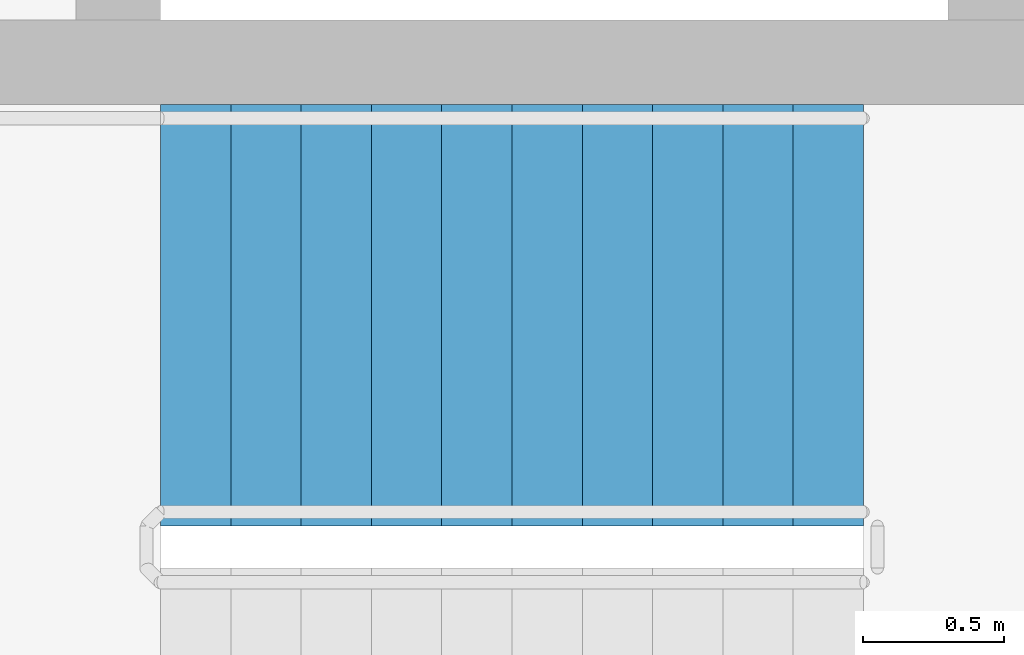
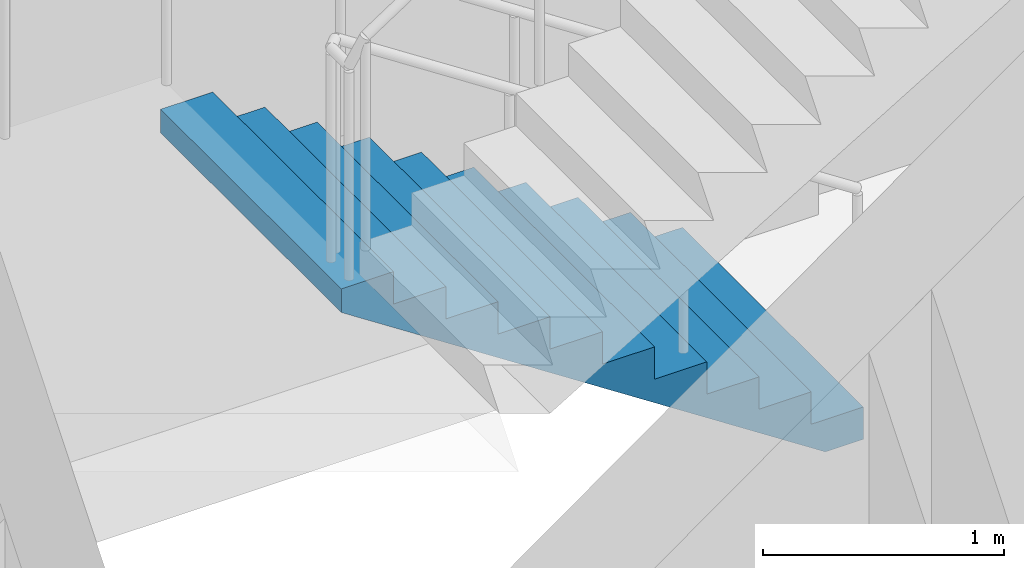
# One storey, part 11 of 12: 1 stair flight, 1 element without a shape of its own.
"""IFC4 building model written with IfcOpenShell, lengths in metres."""

from ifc_helpers import new_model, si_unit, direction, frame, origin, place, context, subcontext, project, spatial, polyline, outline, extrude, material, type_object, element, aggregate, save


model = new_model("IFC4")

# Units and contexts
model_context = context("Model", 3, precision=1e-05, world=origin(), true_north=direction((0.0, 1.0)))
body_context = subcontext(model_context, "Body", "Model", "MODEL_VIEW")
ifc_project = project(units=[si_unit("LENGTHUNIT", "METRE"), si_unit("AREAUNIT", "SQUARE_METRE"), si_unit("VOLUMEUNIT", "CUBIC_METRE"), si_unit("PLANEANGLEUNIT", "RADIAN"), si_unit("MASSUNIT", "GRAM", prefix="KILO")], contexts=[model_context])

# Site, building, storey
site_placement = place(None, origin())
site = spatial("IfcSite", under=ifc_project, at=site_placement, CompositionType="ELEMENT")
building_placement = place(site_placement, origin())
building = spatial("IfcBuilding", under=site, at=building_placement, Name="Tracery Tower", CompositionType="ELEMENT")
storey_placement = place(building_placement, frame((0.0, 0.0, 71.39990234375)))
storey = spatial("IfcBuildingStorey", under=building, at=storey_placement, Name="L17", CompositionType="ELEMENT", Elevation=71.39990234375)

# Stair, stair flight
ifc_material_1 = material(Name="Concrete C32/40", Category="concrete")
stair_type = type_object("IfcStairType", Name="Core stair 22 risers", PredefinedType="HALF_TURN_STAIR", material=ifc_material_1)
stair_placement = place(storey_placement, origin())
stair = element("IfcStair", 1, at=stair_placement, inside=storey, type_object=stair_type, Name="L17 stair ST3", PredefinedType="HALF_TURN_STAIR")
ifc_material_2 = material(Name="Concrete C32/40", Category="concrete")
stair_flight_type = type_object("IfcStairFlightType", Name="Core stair flight 11 risers", PredefinedType="STRAIGHT", material=ifc_material_2)
stair_flight_placement = place(storey_placement, frame((-4.800048828125, 5.64990234375, 0.0), z_axis=(0.0, 0.0, 1.0), x_axis=(-1.0, 0.0, 0.0)))
stair_flight = element("IfcStairFlight", 2, at=stair_flight_placement, type_object=stair_flight_type, Name="ST3 flight 1", NumberOfRisers=11, NumberOfTreads=10, PredefinedType="STRAIGHT", RiserHeight=0.163636364, TreadLength=0.25, context=body_context, shape_type="SweptSolid", body=[
    extrude(outline(polyline([(0.0, 0.0), (0.0, 0.002685546875), (0.0, 0.00537109375), (0.0, 0.008056640625), (0.0, 0.0107421875), (0.0, 0.013427734375), (0.0, 0.01611328125), (0.0, 0.018798828125), (0.0, 0.021484375), (0.0, 0.024169921875), (0.0, 0.02685546875), (0.0, 0.029541015625), (0.0, 0.0322265625), (0.0, 0.034912109375), (0.0, 0.03759765625), (0.0, 0.040283203125), (0.0, 0.04296875), (0.0, 0.045654296875), (0.0, 0.04833984375), (0.0, 0.051025390625), (0.0, 0.0537109375), (0.0, 0.056396484375), (0.0, 0.05908203125), (0.0, 0.061767578125), (0.0, 0.064453125), (0.0, 0.067138671875), (0.0, 0.06982421875), (0.0, 0.072509765625), (0.0, 0.0751953125), (0.0, 0.077880859375), (0.0, 0.08056640625), (0.0, 0.083251953125), (0.0, 0.0859375), (0.0, 0.088623046875), (0.0, 0.09130859375), (0.0, 0.093994140625), (0.0, 0.0966796875), (0.0, 0.099365234375), (0.0, 0.10205078125), (0.0, 0.104736328125), (0.0, 0.107421875), (0.0, 0.10986328125), (0.0, 0.112548828125), (0.0, 0.115234375), (0.0, 0.117919921875), (0.0, 0.12060546875), (0.0, 0.123291015625), (0.0, 0.1259765625), (0.0, 0.128662109375), (0.0, 0.13134765625), (0.0, 0.134033203125), (0.0, 0.13671875), (0.0, 0.139404296875), (0.0, 0.14208984375), (0.0, 0.144775390625), (0.0, 0.1474609375), (0.0, 0.150146484375), (0.0, 0.15283203125), (0.0, 0.155517578125), (0.0, 0.158203125), (0.0, 0.160888671875), (0.0, 0.16357421875), (0.25, 0.16357421875), (0.25, 0.327392578125), (0.5, 0.327392578125), (0.5, 0.490966796875), (0.75, 0.490966796875), (0.75, 0.654541015625), (1.0, 0.654541015625), (1.0, 0.818115234375), (1.25, 0.818115234375), (1.25, 0.98193359375), (1.5, 0.98193359375), (1.5, 1.1455078125), (1.75, 1.1455078125), (1.75, 1.30908203125), (2.0, 1.30908203125), (2.0, 1.47265625), (2.25, 1.47265625), (2.25, 1.636474609375), (2.5, 1.636474609375), (2.5, 1.634521484375), (2.5, 1.63232421875), (2.5, 1.63037109375), (2.5, 1.62841796875), (2.5, 1.62646484375), (2.5, 1.62451171875), (2.5, 1.62255859375), (2.5, 1.62060546875), (2.5, 1.61865234375), (2.5, 1.61669921875), (2.5, 1.61474609375), (2.5, 1.61279296875), (2.5, 1.61083984375), (2.5, 1.60888671875), (2.5, 1.60693359375), (2.5, 1.60498046875), (2.5, 1.60302734375), (2.5, 1.60107421875), (2.5, 1.59912109375), (2.5, 1.59716796875), (2.5, 1.59521484375), (2.5, 1.59326171875), (2.5, 1.59130859375), (2.5, 1.58935546875), (2.5, 1.58740234375), (2.5, 1.58544921875), (2.5, 1.58349609375), (2.5, 1.58154296875), (2.5, 1.57958984375), (2.5, 1.57763671875), (2.5, 1.57568359375), (2.5, 1.573486328125), (2.5, 1.571533203125), (2.5, 1.569580078125), (2.5, 1.567626953125), (2.5, 1.565673828125), (2.5, 1.563720703125), (2.5, 1.561767578125), (2.5, 1.559814453125), (2.5, 1.557861328125), (2.5, 1.555908203125), (2.5, 1.553955078125), (2.5, 1.552001953125), (2.5, 1.550048828125), (2.5, 1.548095703125), (2.5, 1.546142578125), (2.5, 1.544189453125), (2.5, 1.542236328125), (2.5, 1.540283203125), (2.5, 1.538330078125), (2.5, 1.536376953125), (2.5, 1.534423828125), (2.5, 1.532470703125), (2.5, 1.530517578125), (2.5, 1.528564453125), (2.5, 1.526611328125), (2.5, 1.524658203125), (2.5, 1.522705078125), (2.5, 1.520751953125), (2.5, 1.518798828125), (2.5, 1.516845703125), (0.182861328125, 0.0), (0.0, 0.0)])), frame((0.0, 0.75, 0.0), z_axis=(0.0, -1.0, 0.0), x_axis=(1.0, 0.0, 0.0)), (0.0, 0.0, 1.0), 1.5),
])
aggregate(stair, [stair_flight])

save(model, "model.ifc")
